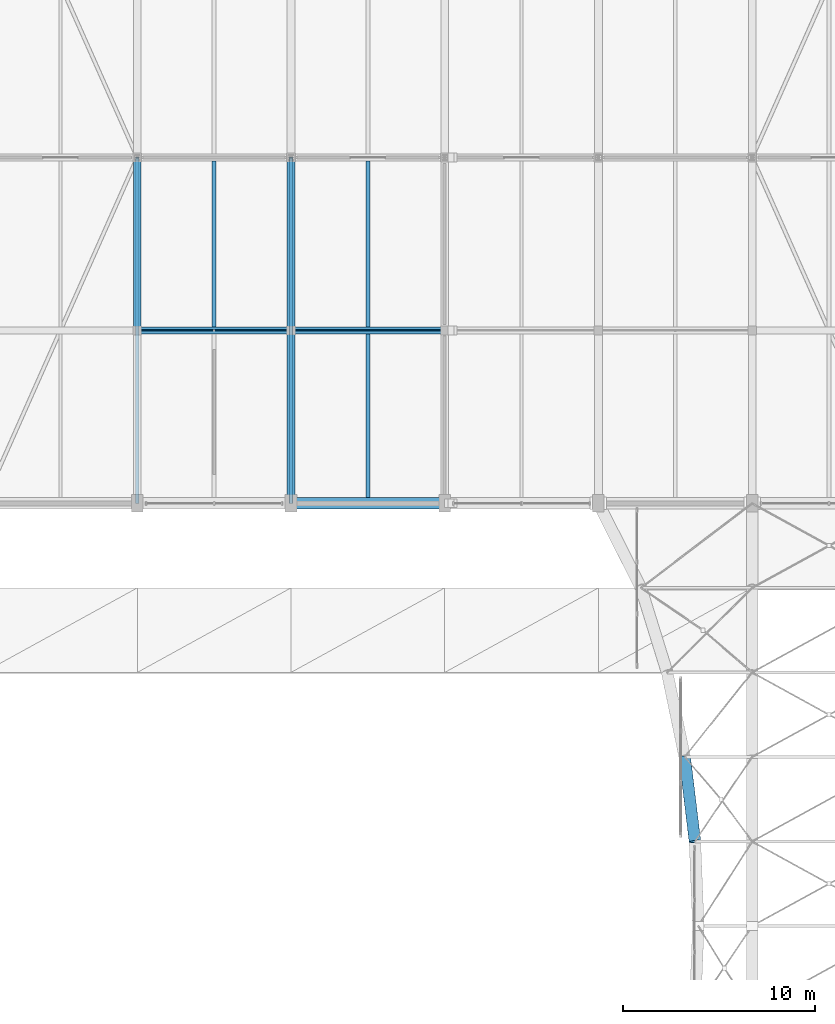
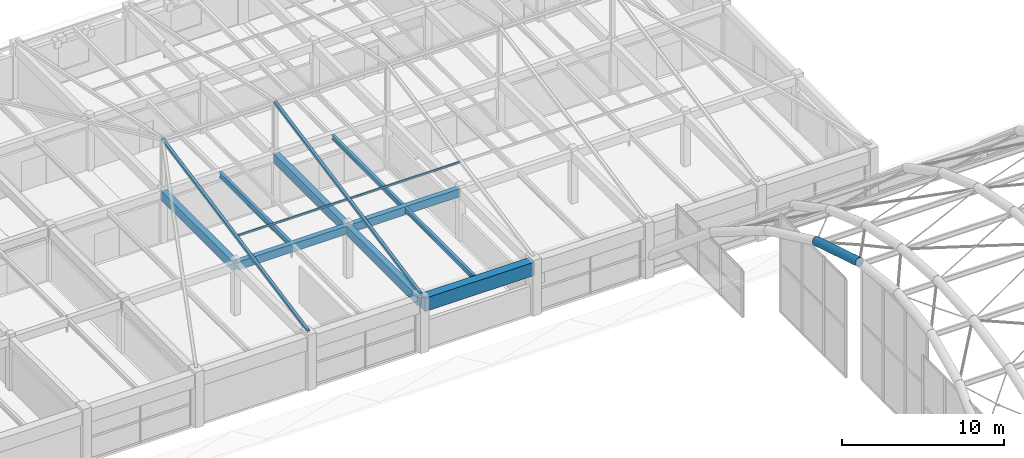
# One storey, part 65 of 126: 10 beams, 4 members.
"""IFC4 building model written with IfcOpenShell, lengths in metres."""

from ifc_helpers import new_model, si_unit, direction, frame, origin, origin_2d, place, context, subcontext, project, spatial, rectangle, hollow_rectangle, hollow_circle, i_section, extrude, material, material_profile, profile_set, type_object, element, save


model = new_model("IFC4")

# Units and contexts
model_context = context("Model", 3, precision=1e-05, world=origin(), true_north=direction((0.0, 1.0)))
body_context = subcontext(model_context, "Body", "Model", "MODEL_VIEW")
ifc_project = project(units=[si_unit("LENGTHUNIT", "METRE"), si_unit("AREAUNIT", "SQUARE_METRE"), si_unit("VOLUMEUNIT", "CUBIC_METRE"), si_unit("PLANEANGLEUNIT", "RADIAN"), si_unit("MASSUNIT", "GRAM", prefix="KILO")], contexts=[model_context])

# Site, building, storey
site_placement = place(None, origin())
site = spatial("IfcSite", under=ifc_project, at=site_placement, CompositionType="ELEMENT")
building_placement = place(site_placement, origin())
building = spatial("IfcBuilding", under=site, at=building_placement, Name="Varnabhumi Central Station", CompositionType="ELEMENT")
storey_placement = place(building_placement, frame((0.0, 0.0, 16.199951171875)))
storey = spatial("IfcBuildingStorey", under=building, at=storey_placement, Name="L03", CompositionType="ELEMENT", Elevation=16.199951171875)

# Beams
ifc_material_1 = material(Name="Structural steel E450", Category="steel")
ifc_material_profile_1 = material_profile(ifc_material_1, hollow_circle(Radius=0.304931640625, WallThickness=0.02490234375, at=origin_2d()), Name="Structural steel E450", Category="steel")
ifc_profile_set_1 = profile_set([ifc_material_profile_1], Name="Structural steel E450")
beam_type_1 = type_object("IfcBeamType", Name="BM-ARCH-CHS610", PredefinedType="BEAM", material=ifc_profile_set_1)
beam_1_placement = place(storey_placement, frame((133.0244140625, 62.39990234375, 9.85302734375), z_axis=(-0.117828495777, 0.972800265411, -0.199439437424), x_axis=(-0.992744345989, -0.120244182838, 0.0)))
element("IfcBeam", 1, at=beam_1_placement, inside=storey, type_object=beam_type_1, Name="Platform Train-Shed Vault Arch Rib 1 Seg 7", PredefinedType="BEAM", context=body_context, shape_type="SweptSolid", body=[
    extrude(hollow_circle(Radius=0.304931640625, WallThickness=0.02490234375, at=origin_2d()), origin(), (0.0, 0.0, 1.0), 4.523193359375),
])
ifc_material_2 = material(Name="Concrete M40", Category="concrete")
ifc_material_profile_2 = material_profile(ifc_material_2, rectangle(XDim=0.35009765625, YDim=0.60009765625, at=origin_2d()), Name="Concrete M40", Category="concrete")
ifc_profile_set_2 = profile_set([ifc_material_profile_2], Name="Concrete M40")
beam_type_2 = type_object("IfcBeamType", Name="BM-RC-350x600", PredefinedType="BEAM", material=ifc_profile_set_2)
for number, where, z_axis, x_axis, name in (
    (2, (104.10009765625, 89.0, 3.650146484375), (1.0, 0.0, 0.0), (0.0, 1.0, 0.0), "Beam L03-L:14-15"),
    (3, (112.10009765625, 89.0, 3.650146484375), (1.0, 0.0, 0.0), (0.0, 1.0, 0.0), "Beam L03-L:15-16"),
):
    element("IfcBeam", number, at=place(storey_placement, frame(where, z_axis=z_axis, x_axis=x_axis)), inside=storey, type_object=beam_type_2, Name=name, PredefinedType="BEAM", context=body_context, shape_type="SweptSolid", body=[
        extrude(rectangle(XDim=0.35009765625, YDim=0.60009765625, at=origin_2d()), origin(), (0.0, 0.0, 1.0), 7.7998046875),
    ])
ifc_material_3 = material(Name="Concrete M50", Category="concrete")
ifc_material_profile_3 = material_profile(ifc_material_3, rectangle(XDim=0.60009765625, YDim=1.0, at=origin_2d()), Name="Concrete M50", Category="concrete")
ifc_profile_set_3 = profile_set([ifc_material_profile_3], Name="Concrete M50")
beam_type_3 = type_object("IfcBeamType", Name="BM-RC-600x1000", PredefinedType="BEAM", material=ifc_profile_set_3)
beam_2_placement = place(storey_placement, frame((112.10009765625, 80.0, 3.449951171875), z_axis=(1.0, 0.0, 0.0), x_axis=(0.0, 1.0, 0.0)))
element("IfcBeam", 4, at=beam_2_placement, inside=storey, type_object=beam_type_3, Name="Beam L03-K:15-16", PredefinedType="BEAM", context=body_context, shape_type="SweptSolid", body=[
    extrude(rectangle(XDim=0.60009765625, YDim=1.0, at=origin_2d()), origin(), (0.0, 0.0, 1.0), 7.7998046875),
])
ifc_material_profile_4 = material_profile(ifc_material_2, rectangle(XDim=0.39990234375, YDim=0.699951171875, at=origin_2d()), Name="Concrete M40", Category="concrete")
ifc_profile_set_4 = profile_set([ifc_material_profile_4], Name="Concrete M40")
beam_type_4 = type_object("IfcBeamType", Name="BM-RC-700x400", PredefinedType="BEAM", material=ifc_profile_set_4)
for number, where, z_axis, x_axis, name in (
    (5, (112.0, 80.10009765625, 3.60009765625), (0.0, 1.0, 0.0), (-1.0, 0.0, 0.0), "Beam L03-15:K-L"),
    (6, (104.0, 89.10009765625, 3.60009765625), (0.0, 1.0, 0.0), (-1.0, 0.0, 0.0), "Beam L03-14:L-M"),
    (7, (112.0, 89.10009765625, 3.60009765625), (0.0, 1.0, 0.0), (-1.0, 0.0, 0.0), "Beam L03-15:L-M"),
):
    element("IfcBeam", number, at=place(storey_placement, frame(where, z_axis=z_axis, x_axis=x_axis)), inside=storey, type_object=beam_type_4, Name=name, PredefinedType="BEAM", context=body_context, shape_type="SweptSolid", body=[
        extrude(rectangle(XDim=0.39990234375, YDim=0.699951171875, at=origin_2d()), origin(), (0.0, 0.0, 1.0), 8.7998046875),
    ])
ifc_material_4 = material(Name="Structural steel E350", Category="steel")
ifc_material_profile_5 = material_profile(ifc_material_4, i_section(OverallWidth=0.199951171875, OverallDepth=0.39990234375, WebThickness=0.008544921875, FlangeThickness=0.012939453125, FilletRadius=0.012939453125, at=origin_2d()), Name="Structural steel E350", Category="steel")
ifc_profile_set_5 = profile_set([ifc_material_profile_5], Name="Structural steel E350")
beam_type_5 = type_object("IfcBeamType", Name="BM-SEC-ISWB400", PredefinedType="JOIST", material=ifc_profile_set_5)
beam_3_placement = place(storey_placement, frame((108.0, 89.175048828125, 3.75), z_axis=(0.0, 1.0, 0.0), x_axis=(-1.0, 0.0, 0.0)))
element("IfcBeam", 8, at=beam_3_placement, inside=storey, type_object=beam_type_5, Name="Secondary Joist L03-14/15:L-M", PredefinedType="JOIST", context=body_context, shape_type="SweptSolid", body=[
    extrude(i_section(OverallWidth=0.199951171875, OverallDepth=0.39990234375, WebThickness=0.008544921875, FlangeThickness=0.012939453125, FilletRadius=0.012939453125, at=origin_2d()), origin(), (0.0, 0.0, 1.0), 8.64990234375),
])
ifc_material_profile_6 = material_profile(ifc_material_4, i_section(OverallWidth=0.199951171875, OverallDepth=0.35009765625, WebThickness=0.008056640625, FlangeThickness=0.011474609375, FilletRadius=0.011962890625, at=origin_2d()), Name="Structural steel E350", Category="steel")
ifc_profile_set_6 = profile_set([ifc_material_profile_6], Name="Structural steel E350")
beam_type_6 = type_object("IfcBeamType", Name="BM-STL-ISWB350", PredefinedType="JOIST", material=ifc_profile_set_6)
beam_4_placement = place(storey_placement, frame((116.0, 80.300048828125, 3.775146484375), z_axis=(0.0, 1.0, 0.0), x_axis=(-1.0, 0.0, 0.0)))
element("IfcBeam", 9, at=beam_4_placement, inside=storey, type_object=beam_type_6, Name="Secondary Joist L03-15/16:K-L", PredefinedType="JOIST", context=body_context, shape_type="SweptSolid", body=[
    extrude(i_section(OverallWidth=0.199951171875, OverallDepth=0.35009765625, WebThickness=0.008056640625, FlangeThickness=0.011474609375, FilletRadius=0.011962890625, at=origin_2d()), origin(), (0.0, 0.0, 1.0), 8.52490234375),
])
beam_5_placement = place(storey_placement, frame((116.0, 89.175048828125, 3.775146484375), z_axis=(0.0, 1.0, 0.0), x_axis=(-1.0, 0.0, 0.0)))
element("IfcBeam", 10, at=beam_5_placement, inside=storey, type_object=beam_type_6, Name="Secondary Joist L03-15/16:L-M", PredefinedType="JOIST", context=body_context, shape_type="SweptSolid", body=[
    extrude(i_section(OverallWidth=0.199951171875, OverallDepth=0.35009765625, WebThickness=0.008056640625, FlangeThickness=0.011474609375, FilletRadius=0.011962890625, at=origin_2d()), origin(), (0.0, 0.0, 1.0), 8.64990234375),
])

# Members
ifc_material_profile_7 = material_profile(ifc_material_4, hollow_rectangle(XDim=0.074951171875, YDim=0.14990234375, WallThickness=0.006103515625, InnerFilletRadius=0.006103515625, OuterFilletRadius=0.011962890625, at=origin_2d()), Name="Structural steel E350", Category="steel")
ifc_profile_set_7 = profile_set([ifc_material_profile_7], Name="Structural steel E350")
member_type_1 = type_object("IfcMemberType", Name="MBR-PURL-RHS150", PredefinedType="PURLIN", material=ifc_profile_set_7)
for number, where, z_axis, x_axis, name in (
    (11, (104.0, 89.0, 5.824951171875), (1.0, 0.0, 0.0), (0.0, 1.0, 0.0), "Mission Roof Purlin NW4-2-S"),
    (12, (112.0, 89.0, 5.824951171875), (1.0, 0.0, 0.0), (0.0, 1.0, 0.0), "Mission Roof Purlin NW4-3-S"),
):
    element("IfcMember", number, at=place(storey_placement, frame(where, z_axis=z_axis, x_axis=x_axis)), inside=storey, type_object=member_type_1, Name=name, PredefinedType="PURLIN", context=body_context, shape_type="SweptSolid", body=[
        extrude(hollow_rectangle(XDim=0.074951171875, YDim=0.14990234375, WallThickness=0.006103515625, InnerFilletRadius=0.006103515625, OuterFilletRadius=0.011962890625, at=origin_2d()), origin(), (0.0, 0.0, 1.0), 8.0),
    ])
ifc_material_profile_8 = material_profile(ifc_material_4, hollow_rectangle(XDim=0.199951171875, YDim=0.199951171875, WallThickness=0.010009765625, InnerFilletRadius=0.010009765625, OuterFilletRadius=0.02001953125, at=origin_2d()), Name="Structural steel E350", Category="steel")
ifc_profile_set_8 = profile_set([ifc_material_profile_8], Name="Structural steel E350")
member_type_2 = type_object("IfcMemberType", Name="MBR-RAFT-SHS200", PredefinedType="RAFTER", material=ifc_profile_set_8)
for number, where, z_axis, x_axis, name in (
    (13, (104.0, 80.0, 4.110107421875), (0.0, 0.981100761594, 0.193497533832), (-1.0, 0.0, 0.0), "Mission Roof South Rafter NW4-2"),
    (14, (112.0, 80.0, 4.110107421875), (0.0, 0.981100761594, 0.193497533832), (-1.0, 0.0, 0.0), "Mission Roof South Rafter NW4-3"),
):
    element("IfcMember", number, at=place(storey_placement, frame(where, z_axis=z_axis, x_axis=x_axis)), inside=storey, type_object=member_type_2, Name=name, PredefinedType="RAFTER", context=body_context, shape_type="SweptSolid", body=[
        extrude(hollow_rectangle(XDim=0.199951171875, YDim=0.199951171875, WallThickness=0.010009765625, InnerFilletRadius=0.010009765625, OuterFilletRadius=0.02001953125, at=origin_2d()), origin(), (0.0, 0.0, 1.0), 18.3466796875),
    ])

save(model, "model.ifc")
